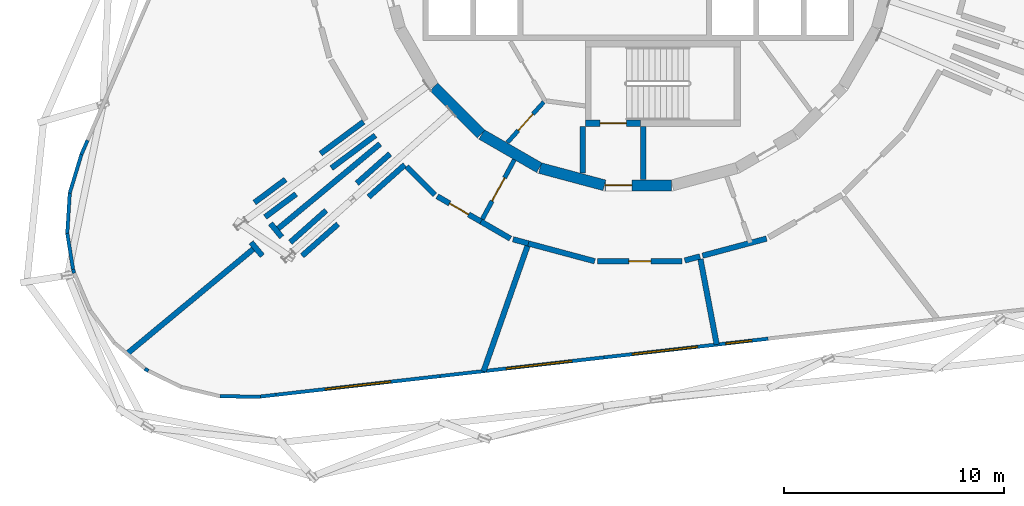
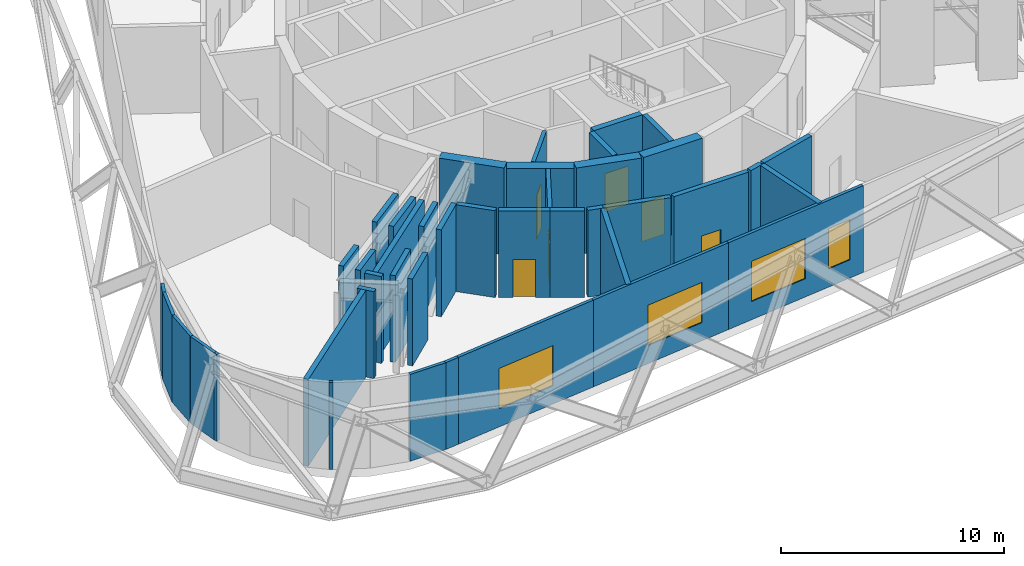
# One storey, part 5 of 11: 42 walls, 6 doors, 4 windows, 10 openings.
"""IFC4 building model written with IfcOpenShell, lengths in metres."""

import ifcopenshell
import ifcopenshell.guid

model = None  # the IFC model being written
_history = None  # IfcOwnerHistory: only IFC2X3 demands one
_inside = {}  # id of a spatial element -> (the spatial element, [elements in it])
_under = {}  # id of a project, library or spatial element -> (it, [spatial elements below it])
_declared = {}  # id of a project -> (the project, [libraries it declares])
_typed = {}  # id of a type object -> (the type object, [elements of that type])
_made_of = {}  # id of a material, layer set ... -> (it, [elements and type objects made of it])


def new_model(schema):
    """Start an empty IFC model of exactly this schema.

    Asked for "IFC4X3", IfcOpenShell would pick the latest addendum, in which some entities
    have other attributes; the version numbers below select the first issue.
    IFC2X3 requires an IfcOwnerHistory on every rooted entity: one is made here for all.
    """
    global model, _history
    if schema == "IFC4X3":
        model = ifcopenshell.file(schema_version=(4, 3, 0, 0))
    else:
        model = ifcopenshell.file(schema=schema)
    _inside.clear()
    _under.clear()
    _declared.clear()
    _typed.clear()
    _made_of.clear()
    _history = None
    if model.schema == "IFC2X3":
        org = make("IfcOrganization", Name="unknown")
        user = make(
            "IfcPersonAndOrganization",
            ThePerson=make("IfcPerson", FamilyName="unknown"),
            TheOrganization=org,
        )
        app = make(
            "IfcApplication",
            ApplicationDeveloper=org,
            Version="unknown",
            ApplicationFullName="unknown",
            ApplicationIdentifier="unknown",
        )
        _history = make(
            "IfcOwnerHistory",
            OwningUser=user,
            OwningApplication=app,
            ChangeAction="ADDED",
            CreationDate=0,
        )
    return model


def make(cls, **values):
    """One entity of the class cls with the attributes given. An attribute that is None is left unset."""
    return model.create_entity(
        cls, **{name: value for name, value in values.items() if value is not None}
    )


def rooted(cls, **values):
    """An entity with a GlobalId (a new one), such as an element, a storey or a relation."""
    return make(cls, GlobalId=ifcopenshell.guid.new(), OwnerHistory=_history, **values)


def si_unit(unit_type, name, prefix=None):
    """IfcSIUnit, for example si_unit("LENGTHUNIT", "METRE", prefix="MILLI")."""
    return make("IfcSIUnit", UnitType=unit_type, Prefix=prefix, Name=name)


def assignment(units):
    """IfcUnitAssignment: the units of a project."""
    return None if units is None else make("IfcUnitAssignment", Units=units)


def point(xyz):
    """IfcCartesianPoint."""
    return None if xyz is None else make("IfcCartesianPoint", Coordinates=xyz)


def direction(xyz):
    """IfcDirection."""
    return None if xyz is None else make("IfcDirection", DirectionRatios=xyz)


def frame(location, z_axis=None, x_axis=None):
    """IfcAxis2Placement3D, a coordinate frame: its origin and axes. An axis left out is left unset."""
    return make(
        "IfcAxis2Placement3D",
        Location=point(location),
        Axis=direction(z_axis),
        RefDirection=direction(x_axis),
    )


def frame_2d(location, x_axis=None):
    """IfcAxis2Placement2D, a coordinate frame in the plane: its origin and x axis."""
    return make(
        "IfcAxis2Placement2D", Location=point(location), RefDirection=direction(x_axis)
    )


def origin():
    """The frame at (0, 0, 0) with its axes left unset."""
    return frame((0.0, 0.0, 0.0))


def place(relative_to, where):
    """IfcLocalPlacement: puts the frame where relative to a parent placement (None: the world)."""
    return make(
        "IfcLocalPlacement", PlacementRelTo=relative_to, RelativePlacement=where
    )


def context(
    kind, dimensions, precision=None, world=None, true_north=None, identifier=None
):
    """IfcGeometricRepresentationContext, for example the 3D "Model" context."""
    return make(
        "IfcGeometricRepresentationContext",
        ContextIdentifier=identifier,
        ContextType=kind,
        CoordinateSpaceDimension=dimensions,
        Precision=precision,
        WorldCoordinateSystem=world,
        TrueNorth=true_north,
    )


def subcontext(parent, identifier, kind, view, scale=None):
    """IfcGeometricRepresentationSubContext, for example "Body" below "Model"."""
    return make(
        "IfcGeometricRepresentationSubContext",
        ContextIdentifier=identifier,
        ContextType=kind,
        ParentContext=parent,
        TargetScale=scale,
        TargetView=view,
    )


def project(units=None, contexts=None):
    """IfcProject with its units and contexts."""
    return rooted(
        "IfcProject",
        Name="project",
        RepresentationContexts=contexts,
        UnitsInContext=assignment(units),
    )


def spatial(cls, under=None, at=None, **own):
    """A site, building, storey or space (cls), placed at a placement, below another one or the project."""
    s = rooted(cls, ObjectPlacement=at, **own)
    if under is not None:
        _under.setdefault(under.id(), (under, []))[1].append(s)
    return s


def profile(cls, at=None, kind="AREA", **sizes):
    """A parametric profile (cls). Its sizes go by their IFC names, for example OverallWidth=200.0."""
    return make(cls, ProfileType=kind, Position=at, **sizes)


def rectangle(**sizes):
    """IfcRectangleProfileDef."""
    return profile("IfcRectangleProfileDef", **sizes)


def extrude(swept, where, along, depth):
    """IfcExtrudedAreaSolid: the profile swept, set in the frame where, extruded along a direction by depth."""
    return make(
        "IfcExtrudedAreaSolid",
        SweptArea=swept,
        Position=where,
        ExtrudedDirection=direction(along),
        Depth=depth,
    )


def shape(context_of_items, identifier, shape_type, items):
    """IfcShapeRepresentation: the items that make up one representation, for example the "Body"."""
    return make(
        "IfcShapeRepresentation",
        ContextOfItems=context_of_items,
        RepresentationIdentifier=identifier,
        RepresentationType=shape_type,
        Items=items,
    )


def material(Name=None, Category=None):
    """IfcMaterial."""
    return make("IfcMaterial", Name=Name, Category=Category)


def layer(
    of_material, thickness, ventilated=None, Name=None, Category=None, Priority=None
):
    """IfcMaterialLayer: one layer of a wall or slab, of a material (None: an air gap)."""
    return make(
        "IfcMaterialLayer",
        Material=of_material,
        LayerThickness=thickness,
        IsVentilated=ventilated,
        Name=Name,
        Category=Category,
        Priority=Priority,
    )


def layer_set(layers, Name=None):
    """IfcMaterialLayerSet."""
    return make("IfcMaterialLayerSet", MaterialLayers=layers, LayerSetName=Name)


def made_of(thing, what):
    """Note that an element or type object is made of a material, layer set ...; save() writes the relation."""
    if what is not None:
        _made_of.setdefault(what.id(), (what, []))[1].append(thing)
    return thing


def type_object(cls, material=None, **own):
    """A type object (cls), such as IfcWallType, which elements share."""
    return made_of(rooted(cls, **own), material)


def element(
    cls,
    number,
    at=None,
    inside=None,
    cuts=None,
    type_object=None,
    material=None,
    context=None,
    identifier="Body",
    shape_type=None,
    held_by="IfcProductDefinitionShape",
    body=None,
    shapes=None,
    **own,
):
    """One element of the class cls, such as IfcWall. Its Tag is "e" and its number.

    at: its placement. inside: the storey or other place that contains it. cuts: it is an
    opening in that element (IfcRelVoidsElement). A single representation is given by context,
    identifier, shape_type and body (its items); several are given by shapes. held_by: the class
    of the entity that holds the representations. save() writes the other relations.
    """
    e = rooted(cls, Tag="e%d" % number, ObjectPlacement=at, **own)
    if body is not None:
        shapes = [shape(context, identifier, shape_type, body)]
    if shapes is not None:
        e.Representation = make(held_by, Representations=shapes)
    if inside is not None:
        _inside.setdefault(inside.id(), (inside, []))[1].append(e)
    if cuts is not None:
        rooted(
            "IfcRelVoidsElement", RelatingBuildingElement=cuts, RelatedOpeningElement=e
        )
    if type_object is not None:
        _typed.setdefault(type_object.id(), (type_object, []))[1].append(e)
    return made_of(e, material)


def fill(opening, filler):
    """IfcRelFillsElement: the door or window that sits in an opening."""
    return rooted(
        "IfcRelFillsElement",
        RelatingOpeningElement=opening,
        RelatedBuildingElement=filler,
    )


def aggregate(whole, parts):
    """IfcRelAggregates: a whole, such as a stair, and the parts it consists of."""
    return rooted("IfcRelAggregates", RelatingObject=whole, RelatedObjects=parts)


def save(model, path):
    """Write the relations noted so far, then the file.

    IfcRelAggregates (storeys below a building ...), IfcRelContainedInSpatialStructure (elements
    in a storey), IfcRelDefinesByType, IfcRelAssociatesMaterial and IfcRelDeclares: one each for
    every whole, place, type object, material and project.
    """
    for whole, parts in _under.values():
        aggregate(whole, parts)
    for where, things in _inside.values():
        rooted(
            "IfcRelContainedInSpatialStructure",
            RelatedElements=things,
            RelatingStructure=where,
        )
    for kind, things in _typed.values():
        rooted("IfcRelDefinesByType", RelatedObjects=things, RelatingType=kind)
    for what, things in _made_of.values():
        rooted("IfcRelAssociatesMaterial", RelatedObjects=things, RelatingMaterial=what)
    for by, libraries in _declared.values():
        rooted("IfcRelDeclares", RelatingContext=by, RelatedDefinitions=libraries)
    model.write(path)


model = new_model("IFC4")

# Units and contexts
model_context = context("Model", 3, precision=1e-05, world=origin(), true_north=direction((0.0, 1.0)))
body_context = subcontext(model_context, "Body", "Model", "MODEL_VIEW")
ifc_project = project(units=[si_unit("LENGTHUNIT", "METRE"), si_unit("AREAUNIT", "SQUARE_METRE"), si_unit("VOLUMEUNIT", "CUBIC_METRE"), si_unit("PLANEANGLEUNIT", "RADIAN"), si_unit("MASSUNIT", "GRAM", prefix="KILO")], contexts=[model_context])

# Site, building, storey
site_placement = place(None, origin())
site = spatial("IfcSite", under=ifc_project, at=site_placement, CompositionType="ELEMENT")
building_placement = place(site_placement, origin())
building = spatial("IfcBuilding", under=site, at=building_placement, Name="Spindle Arch Residences", CompositionType="ELEMENT")
storey_placement = place(building_placement, frame((0.0, 0.0, 108.199951171875)))
storey = spatial("IfcBuildingStorey", under=building, at=storey_placement, Name="L26", CompositionType="ELEMENT", Elevation=108.199951171875)

# Walls
ifc_material_1 = material(Name="Concrete C50/60", Category="concrete")
ifc_layer_1 = layer(ifc_material_1, 0.5)
ifc_layer_set_1 = layer_set([ifc_layer_1], Name="Core outline wall 500")
wall_type_1 = type_object("IfcWallType", Name="Core outline wall 500", PredefinedType="SHEAR", material=ifc_layer_set_1)
wall_1_placement = place(storey_placement, frame((-9.30810546875, -7.163818359375, 0.0), z_axis=(0.0, 0.0, 1.0), x_axis=(0.707106781187, -0.707106781187, 0.0)))
element("IfcWall", 1, at=wall_1_placement, inside=storey, type_object=wall_type_1, Name="Core outline wall 21", PredefinedType="SHEAR", context=body_context, shape_type="SweptSolid", body=[
    extrude(rectangle(XDim=3.032470703125, YDim=0.5, at=frame_2d((1.51611328125, 0.0))), origin(), (0.0, 0.0, 1.0), 4.75),
])
for number, where, z_axis, x_axis, name in (
    (2, (-7.13671875, -9.32861328125, 0.0), (0.0, 0.0, 1.0), (0.865975092491, -0.500087131594, 0.0), "Core outline wall 22"),
    (3, (-4.479248046875, -10.858154296875, 0.0), (0.0, 0.0, 1.0), (0.965948410781, -0.258734743916, 0.0), "Core outline wall 23"),
):
    element("IfcWall", number, at=place(storey_placement, frame(where, z_axis=z_axis, x_axis=x_axis)), inside=storey, type_object=wall_type_1, Name=name, PredefinedType="SHEAR", context=body_context, shape_type="SweptSolid", body=[
        extrude(rectangle(XDim=3.03271484375, YDim=0.5, at=frame_2d((1.516357421875, 0.0))), origin(), (0.0, 0.0, 1.0), 4.75),
    ])

# Wall, opening, door
wall_2_placement = place(storey_placement, frame((-1.516357421875, -11.647216796875, 0.0), z_axis=(0.0, 0.0, 1.0), x_axis=(1.0, 0.0, 0.0)))
wall_2 = element("IfcWall", 4, at=wall_2_placement, inside=storey, type_object=wall_type_1, Name="Core outline wall 24", PredefinedType="SHEAR", context=body_context, shape_type="SweptSolid", body=[
    extrude(rectangle(XDim=3.03271484375, YDim=0.5, at=frame_2d((1.516357421875, 0.0))), origin(), (0.0, 0.0, 1.0), 4.75),
])
opening_1_placement = place(wall_2_placement, frame((0.016357421875, 0.0, 0.0)))
opening_1 = element("IfcOpeningElement", 5, at=opening_1_placement, cuts=wall_2, Name="Opening L26-AD03", PredefinedType="OPENING", context=body_context, shape_type="SweptSolid", body=[
    extrude(rectangle(XDim=1.199951171875, YDim=2.10009765625, at=frame_2d((0.60009765625, 1.050048828125))), frame((0.0, 0.260009765625, 0.0), z_axis=(0.0, -1.0, 0.0), x_axis=(1.0, 0.0, 0.0)), (0.0, 0.0, 1.0), 0.52001953125),
])
ifc_material_2 = material(Name="Steel, fire-resisting door", Category="steel")
door_type_1 = type_object("IfcDoorType", Name="Stair airlock door 1200x2100", OperationType="SINGLE_SWING_LEFT", PredefinedType="DOOR", material=ifc_material_2)
door_1_placement = place(opening_1_placement, origin())
door_1 = element("IfcDoor", 6, at=door_1_placement, inside=storey, type_object=door_type_1, Name="Stair airlock door L26-AD03", OperationType="SINGLE_SWING_RIGHT", OverallHeight=2.10009765625, OverallWidth=1.199951171875, PredefinedType="DOOR", context=body_context, shape_type="SweptSolid", body=[
    extrude(rectangle(XDim=1.199951171875, YDim=2.10009765625, at=frame_2d((0.60009765625, 1.050048828125))), frame((0.0, 0.02490234375, 0.0), z_axis=(0.0, -1.0, 0.0), x_axis=(1.0, 0.0, 0.0)), (0.0, 0.0, 1.0), 0.050048828125),
])
fill(opening_1, door_1)

# Walls
ifc_material_3 = material(Name="Non-combustible mineral wool insulated aluminium faced external wall (K0)", Category="aluminium")
ifc_layer_2 = layer(ifc_material_3, 0.159912109375)
ifc_layer_set_2 = layer_set([ifc_layer_2], Name="Insulated external wall panel 160")
wall_type_2 = type_object("IfcWallType", Name="Insulated external wall panel 160", PredefinedType="STANDARD", material=ifc_layer_set_2)
wall_3_placement = place(storey_placement, frame((-25.082275390625, -9.591064453125, 0.0), z_axis=(0.0, 0.0, 1.0), x_axis=(-0.398561214502, -0.917141732937, 0.0)))
element("IfcWall", 7, at=wall_3_placement, inside=storey, type_object=wall_type_2, Name="Plant wall L26 bay 19.1", PredefinedType="STANDARD", context=body_context, shape_type="SweptSolid", body=[
    extrude(rectangle(XDim=0.703857421875, YDim=0.159912109375, at=frame_2d((0.35205078125, 0.0))), origin(), (0.0, 0.0, 1.0), 4.75),
])
wall_4_placement = place(storey_placement, frame((-25.361328125, -10.232177734375, 0.0), z_axis=(0.0, 0.0, 1.0), x_axis=(-0.289640305578, -0.957135566879, 0.0)))
element("IfcWall", 8, at=wall_4_placement, inside=storey, type_object=wall_type_2, Name="Plant wall L26 bay 19.2", PredefinedType="STANDARD", context=body_context, shape_type="SweptSolid", body=[
    extrude(rectangle(XDim=1.845947265625, YDim=0.159912109375, at=frame_2d((0.9228515625, 0.0))), origin(), (0.0, 0.0, 1.0), 4.75),
])
wall_5_placement = place(storey_placement, frame((-25.894287109375, -11.98974609375, 0.0), z_axis=(0.0, 0.0, 1.0), x_axis=(-0.061029488501, -0.998135963451, 0.0)))
element("IfcWall", 9, at=wall_5_placement, inside=storey, type_object=wall_type_2, Name="Plant wall L26 bay 19.3", PredefinedType="STANDARD", context=body_context, shape_type="SweptSolid", body=[
    extrude(rectangle(XDim=1.84814453125, YDim=0.159912109375, at=frame_2d((0.924072265625, 0.0))), origin(), (0.0, 0.0, 1.0), 4.75),
])
wall_6_placement = place(storey_placement, frame((-26.007568359375, -13.82568359375, 0.0), z_axis=(0.0, 0.0, 1.0), x_axis=(0.159320235268, -0.98722695599, 0.0)))
element("IfcWall", 10, at=wall_6_placement, inside=storey, type_object=wall_type_2, Name="Plant wall L26 bay 19.4", PredefinedType="STANDARD", context=body_context, shape_type="SweptSolid", body=[
    extrude(rectangle(XDim=1.6611328125, YDim=0.159912109375, at=frame_2d((0.83056640625, 0.0))), origin(), (0.0, 0.0, 1.0), 4.75),
])
wall_7_placement = place(storey_placement, frame((-25.742919921875, -15.465576171875, 0.0), z_axis=(0.0, 0.0, 1.0), x_axis=(0.274547625783, -0.961573502743, 0.0)))
element("IfcWall", 11, at=wall_7_placement, inside=storey, type_object=wall_type_2, Name="Plant wall L26 bay 20.1", PredefinedType="STANDARD", context=body_context, shape_type="SweptSolid", body=[
    extrude(rectangle(XDim=0.185791015625, YDim=0.159912109375, at=frame_2d((0.0927734375, 0.0))), origin(), (0.0, 0.0, 1.0), 4.75),
])
wall_8_placement = place(storey_placement, frame((-22.472412109375, -19.995361328125, 0.0), z_axis=(0.0, 0.0, 1.0), x_axis=(0.840238765122, -0.542216578118, 0.0)))
element("IfcWall", 12, at=wall_8_placement, inside=storey, type_object=wall_type_2, Name="Plant wall L26 bay 20.5", PredefinedType="STANDARD", context=body_context, shape_type="SweptSolid", body=[
    extrude(rectangle(XDim=0.18603515625, YDim=0.159912109375, at=frame_2d((0.093017578125, 0.0))), origin(), (0.0, 0.0, 1.0), 4.75),
])
wall_9_placement = place(storey_placement, frame((-19.0458984375, -21.256103515625, 0.0), z_axis=(0.0, 0.0, 1.0), x_axis=(0.999995373376, -0.003041911597, 0.0)))
element("IfcWall", 13, at=wall_9_placement, inside=storey, type_object=wall_type_2, Name="Plant wall L26 bay 21.3", PredefinedType="STANDARD", context=body_context, shape_type="SweptSolid", body=[
    extrude(rectangle(XDim=1.845947265625, YDim=0.159912109375, at=frame_2d((0.9228515625, 0.0))), origin(), (0.0, 0.0, 1.0), 4.75),
])
wall_10_placement = place(storey_placement, frame((-17.20458984375, -21.26171875, 0.0), z_axis=(0.0, 0.0, 1.0), x_axis=(0.993584007949, 0.113096503698, 0.0)))
element("IfcWall", 14, at=wall_10_placement, inside=storey, type_object=wall_type_2, Name="Plant wall L26 bay 21.4", PredefinedType="STANDARD", context=body_context, shape_type="SweptSolid", body=[
    extrude(rectangle(XDim=0.70361328125, YDim=0.159912109375, at=frame_2d((0.351806640625, 0.0))), origin(), (0.0, 0.0, 1.0), 4.75),
])

# Wall, opening, window
wall_11_placement = place(storey_placement, frame((-16.50537109375, -21.18212890625, 0.0), z_axis=(0.0, 0.0, 1.0), x_axis=(0.993573424553, 0.113189443072, 0.0)))
wall_11 = element("IfcWall", 15, at=wall_11_placement, inside=storey, type_object=wall_type_2, Name="Plant wall L26 bay 22", PredefinedType="STANDARD", context=body_context, shape_type="SweptSolid", body=[
    extrude(rectangle(XDim=7.51904296875, YDim=0.159912109375, at=frame_2d((3.759521484375, 0.0))), origin(), (0.0, 0.0, 1.0), 4.75),
])
opening_2_placement = place(wall_11_placement, frame((2.259521484375, 0.0, 1.0)))
opening_2 = element("IfcOpeningElement", 16, at=opening_2_placement, cuts=wall_11, Name="Opening LW1", PredefinedType="OPENING", context=body_context, shape_type="SweptSolid", body=[
    extrude(rectangle(XDim=3.0, YDim=2.199951171875, at=frame_2d((1.5, 1.10009765625))), frame((0.0, 0.08984375, 0.0), z_axis=(0.0, -1.0, 0.0), x_axis=(1.0, 0.0, 0.0)), (0.0, 0.0, 1.0), 0.179931640625),
])
ifc_material_4 = material(Name="Bronze anodised aluminium fixed louvre", Category="aluminium")
window_type_1 = type_object("IfcWindowType", Name="Plant louvre opening 3000x2200", PartitioningType="SINGLE_PANEL", PredefinedType="WINDOW", material=ifc_material_4)
window_1_placement = place(opening_2_placement, origin())
window_1 = element("IfcWindow", 17, at=window_1_placement, inside=storey, type_object=window_type_1, Name="Louvre opening L26 bay 22.1", OverallHeight=2.199951171875, OverallWidth=3.0, PartitioningType="SINGLE_PANEL", PredefinedType="WINDOW", context=body_context, shape_type="SweptSolid", body=[
    extrude(rectangle(XDim=3.0, YDim=2.199951171875, at=frame_2d((1.5, 1.10009765625))), frame((0.0, 0.030029296875, 0.0), z_axis=(0.0, -1.0, 0.0), x_axis=(1.0, 0.0, 0.0)), (0.0, 0.0, 1.0), 0.06005859375),
])
fill(opening_2, window_1)

wall_12_placement = place(storey_placement, frame((-9.03466796875, -20.3310546875, 0.0), z_axis=(0.0, 0.0, 1.0), x_axis=(0.993569356187, 0.113225149352, 0.0)))
wall_12 = element("IfcWall", 18, at=wall_12_placement, inside=storey, type_object=wall_type_2, Name="Plant wall L26 bay 23", PredefinedType="STANDARD", context=body_context, shape_type="SweptSolid", body=[
    extrude(rectangle(XDim=7.518798828125, YDim=0.159912109375, at=frame_2d((3.75927734375, 0.0))), origin(), (0.0, 0.0, 1.0), 4.75),
])
opening_3_placement = place(wall_12_placement, frame((3.04052734375, 0.0, 1.0)))
opening_3 = element("IfcOpeningElement", 19, at=opening_3_placement, cuts=wall_12, Name="Opening LW1", PredefinedType="OPENING", context=body_context, shape_type="SweptSolid", body=[
    extrude(rectangle(XDim=3.0, YDim=2.199951171875, at=frame_2d((1.5, 1.10009765625))), frame((0.0, 0.08984375, 0.0), z_axis=(0.0, -1.0, 0.0), x_axis=(1.0, 0.0, 0.0)), (0.0, 0.0, 1.0), 0.179931640625),
])
window_2_placement = place(opening_3_placement, origin())
window_2 = element("IfcWindow", 20, at=window_2_placement, inside=storey, type_object=window_type_1, Name="Louvre opening L26 bay 23.1", OverallHeight=2.199951171875, OverallWidth=3.0, PartitioningType="SINGLE_PANEL", PredefinedType="WINDOW", context=body_context, shape_type="SweptSolid", body=[
    extrude(rectangle(XDim=3.0, YDim=2.199951171875, at=frame_2d((1.5, 1.10009765625))), frame((0.0, 0.030029296875, 0.0), z_axis=(0.0, -1.0, 0.0), x_axis=(1.0, 0.0, 0.0)), (0.0, 0.0, 1.0), 0.06005859375),
])
fill(opening_3, window_2)

# Wall, openings, windows
wall_13_placement = place(storey_placement, frame((-1.564208984375, -19.479736328125, 0.0), z_axis=(0.0, 0.0, 1.0), x_axis=(0.993573008535, 0.113193094799, 0.0)))
wall_13 = element("IfcWall", 21, at=wall_13_placement, inside=storey, type_object=wall_type_2, Name="Plant wall L26 bay 24", PredefinedType="STANDARD", context=body_context, shape_type="SweptSolid", body=[
    extrude(rectangle(XDim=7.518798828125, YDim=0.159912109375, at=frame_2d((3.75927734375, 0.0))), origin(), (0.0, 0.0, 1.0), 4.75),
])
opening_4_placement = place(wall_13_placement, frame((1.282958984375, 0.0, 1.0)))
opening_4 = element("IfcOpeningElement", 22, at=opening_4_placement, cuts=wall_13, Name="Opening LW1", PredefinedType="OPENING", context=body_context, shape_type="SweptSolid", body=[
    extrude(rectangle(XDim=3.0, YDim=2.199951171875, at=frame_2d((1.5, 1.10009765625))), frame((0.0, 0.08984375, 0.0), z_axis=(0.0, -1.0, 0.0), x_axis=(1.0, 0.0, 0.0)), (0.0, 0.0, 1.0), 0.179931640625),
])
opening_5_placement = place(wall_13_placement, frame((5.5673828125, 0.0, 1.0)))
opening_5 = element("IfcOpeningElement", 23, at=opening_5_placement, cuts=wall_13, Name="Opening LW4", PredefinedType="OPENING", context=body_context, shape_type="SweptSolid", body=[
    extrude(rectangle(XDim=1.199951171875, YDim=2.199951171875, at=frame_2d((0.60009765625, 1.10009765625))), frame((0.0, 0.08984375, 0.0), z_axis=(0.0, -1.0, 0.0), x_axis=(1.0, 0.0, 0.0)), (0.0, 0.0, 1.0), 0.179931640625),
])
ifc_material_5 = material(Name="Bronze anodised aluminium fixed louvre", Category="aluminium")
window_type_2 = type_object("IfcWindowType", Name="Plant louvre opening 1200x2200", PartitioningType="SINGLE_PANEL", PredefinedType="WINDOW", material=ifc_material_5)
window_3_placement = place(opening_5_placement, origin())
window_3 = element("IfcWindow", 24, at=window_3_placement, inside=storey, type_object=window_type_2, Name="Louvre opening L26 bay 24.2", OverallHeight=2.199951171875, OverallWidth=1.199951171875, PartitioningType="SINGLE_PANEL", PredefinedType="WINDOW", context=body_context, shape_type="SweptSolid", body=[
    extrude(rectangle(XDim=1.199951171875, YDim=2.199951171875, at=frame_2d((0.60009765625, 1.10009765625))), frame((0.0, 0.030029296875, 0.0), z_axis=(0.0, -1.0, 0.0), x_axis=(1.0, 0.0, 0.0)), (0.0, 0.0, 1.0), 0.06005859375),
])
fill(opening_5, window_3)
window_4_placement = place(opening_4_placement, origin())
window_4 = element("IfcWindow", 25, at=window_4_placement, inside=storey, type_object=window_type_1, Name="Louvre opening L26 bay 24.1", OverallHeight=2.199951171875, OverallWidth=3.0, PartitioningType="SINGLE_PANEL", PredefinedType="WINDOW", context=body_context, shape_type="SweptSolid", body=[
    extrude(rectangle(XDim=3.0, YDim=2.199951171875, at=frame_2d((1.5, 1.10009765625))), frame((0.0, 0.030029296875, 0.0), z_axis=(0.0, -1.0, 0.0), x_axis=(1.0, 0.0, 0.0)), (0.0, 0.0, 1.0), 0.06005859375),
])
fill(opening_4, window_4)

# Walls
ifc_material_6 = material(Name="Concrete C25/30 wall", Category="concrete")
ifc_layer_3 = layer(ifc_material_6, 0.25)
ifc_layer_set_3 = layer_set([ifc_layer_3], Name="Partition EI 120 250 plant")
wall_type_3 = type_object("IfcWallType", Name="Partition EI 120 250 plant", PredefinedType="PARTITIONING", material=ifc_layer_set_3)
wall_14_placement = place(storey_placement, frame((-17.54248046875, -14.549560546875, 0.0), z_axis=(0.0, 0.0, 1.0), x_axis=(-0.769578133533, -0.638552657491, 0.0)))
element("IfcWall", 26, at=wall_14_placement, inside=storey, type_object=wall_type_3, Name="L26-W001", PredefinedType="PARTITIONING", context=body_context, shape_type="SweptSolid", body=[
    extrude(rectangle(XDim=7.453125, YDim=0.25, at=frame_2d((3.7265625, 0.0))), origin(), (0.0, 0.0, 1.0), 4.75),
])
wall_15_placement = place(storey_placement, frame((-16.99658203125, -13.0869140625, 0.0), z_axis=(0.0, 0.0, 1.0), x_axis=(0.802183588965, 0.597077456948, 0.0)))
element("IfcWall", 27, at=wall_15_placement, inside=storey, type_object=wall_type_3, Name="L26-W002", PredefinedType="PARTITIONING", context=body_context, shape_type="SweptSolid", body=[
    extrude(rectangle(XDim=1.75341796875, YDim=0.25, at=frame_2d((0.876708984375, 0.0))), origin(), (0.0, 0.0, 1.0), 4.75),
])
wall_16_placement = place(storey_placement, frame((-16.070068359375, -11.3798828125, 0.0), z_axis=(0.0, 0.0, 1.0), x_axis=(-0.802508356636, -0.596640878191, 0.0)))
element("IfcWall", 28, at=wall_16_placement, inside=storey, type_object=wall_type_3, Name="L26-W003", PredefinedType="PARTITIONING", context=body_context, shape_type="SweptSolid", body=[
    extrude(rectangle(XDim=1.7587890625, YDim=0.25, at=frame_2d((0.87939453125, 0.0))), origin(), (0.0, 0.0, 1.0), 4.75),
])
wall_17_placement = place(storey_placement, frame((-15.31005859375, -14.85009765625, 0.0), z_axis=(0.0, 0.0, 1.0), x_axis=(0.749418447052, 0.662096663047, 0.0)))
element("IfcWall", 29, at=wall_17_placement, inside=storey, type_object=wall_type_3, Name="L26-W004", PredefinedType="PARTITIONING", context=body_context, shape_type="SweptSolid", body=[
    extrude(rectangle(XDim=2.17529296875, YDim=0.25, at=frame_2d((1.087646484375, 0.0))), origin(), (0.0, 0.0, 1.0), 4.75),
])
wall_18_placement = place(storey_placement, frame((-14.219970703125, -12.7900390625, 0.0), z_axis=(0.0, 0.0, 1.0), x_axis=(-0.747193185721, -0.664606908791, 0.0)))
element("IfcWall", 30, at=wall_18_placement, inside=storey, type_object=wall_type_3, Name="L26-W008", PredefinedType="PARTITIONING", context=body_context, shape_type="SweptSolid", body=[
    extrude(rectangle(XDim=2.181640625, YDim=0.25, at=frame_2d((1.0908203125, 0.0))), origin(), (0.0, 0.0, 1.0), 4.75),
])
wall_19_placement = place(storey_placement, frame((-13.97998046875, -10.860107421875, 0.0), z_axis=(0.0, 0.0, 1.0), x_axis=(0.80192236943, 0.597428249589, 0.0)))
element("IfcWall", 31, at=wall_19_placement, inside=storey, type_object=wall_type_3, Name="L26-W011", PredefinedType="PARTITIONING", context=body_context, shape_type="SweptSolid", body=[
    extrude(rectangle(XDim=2.493896484375, YDim=0.25, at=frame_2d((1.2470703125, 0.0))), origin(), (0.0, 0.0, 1.0), 4.75),
])
wall_20_placement = place(storey_placement, frame((-12.5205078125, -8.75439453125, 0.0), z_axis=(0.0, 0.0, 1.0), x_axis=(-0.803259492536, -0.595629236732, 0.0)))
element("IfcWall", 32, at=wall_20_placement, inside=storey, type_object=wall_type_3, Name="L26-W014", PredefinedType="PARTITIONING", context=body_context, shape_type="SweptSolid", body=[
    extrude(rectangle(XDim=2.427001953125, YDim=0.25, at=frame_2d((1.21337890625, 0.0))), origin(), (0.0, 0.0, 1.0), 4.75),
])
wall_21_placement = place(storey_placement, frame((-12.280029296875, -12.169921875, 0.0), z_axis=(0.0, 0.0, 1.0), x_axis=(0.746942923143, 0.664888163202, 0.0)))
element("IfcWall", 33, at=wall_21_placement, inside=storey, type_object=wall_type_3, Name="L26-W015", PredefinedType="PARTITIONING", context=body_context, shape_type="SweptSolid", body=[
    extrude(rectangle(XDim=2.19580078125, YDim=0.25, at=frame_2d((1.097900390625, 0.0))), origin(), (0.0, 0.0, 1.0), 4.75),
])
wall_22_placement = place(storey_placement, frame((-11.76611328125, -9.759765625, 0.0), z_axis=(0.0, 0.0, 1.0), x_axis=(-0.769226522348, -0.63897617899, 0.0)))
element("IfcWall", 34, at=wall_22_placement, inside=storey, type_object=wall_type_3, Name="L26-W017", PredefinedType="PARTITIONING", context=body_context, shape_type="SweptSolid", body=[
    extrude(rectangle(XDim=6.026123046875, YDim=0.25, at=frame_2d((3.01318359375, 0.0))), origin(), (0.0, 0.0, 1.0), 4.75),
])
wall_23_placement = place(storey_placement, frame((-11.3134765625, -10.212890625, 0.0), z_axis=(0.0, 0.0, 1.0), x_axis=(-0.747910613197, -0.663799453651, 0.0)))
element("IfcWall", 35, at=wall_23_placement, inside=storey, type_object=wall_type_3, Name="L26-W019", PredefinedType="PARTITIONING", context=body_context, shape_type="SweptSolid", body=[
    extrude(rectangle(XDim=2.014404296875, YDim=0.25, at=frame_2d((1.00732421875, 0.0))), origin(), (0.0, 0.0, 1.0), 4.75),
])
wall_24_placement = place(storey_placement, frame((-10.551513671875, -10.79833984375, 0.0), z_axis=(0.0, 0.0, 1.0), x_axis=(0.707039428062, -0.707174127896, 0.0)))
element("IfcWall", 36, at=wall_24_placement, inside=storey, type_object=wall_type_3, Name="L26-W020", PredefinedType="PARTITIONING", context=body_context, shape_type="SweptSolid", body=[
    extrude(rectangle(XDim=1.8125, YDim=0.25, at=frame_2d((0.90625, 0.0))), origin(), (0.0, 0.0, 1.0), 4.75),
])

# Wall, opening, door
wall_25_placement = place(storey_placement, frame((-9.161865234375, -12.142578125, 0.0), z_axis=(0.0, 0.0, 1.0), x_axis=(0.865576208327, -0.500777223502, 0.0)))
wall_25 = element("IfcWall", 37, at=wall_25_placement, inside=storey, type_object=wall_type_3, Name="L26-W021", PredefinedType="PARTITIONING", context=body_context, shape_type="SweptSolid", body=[
    extrude(rectangle(XDim=2.303466796875, YDim=0.25, at=frame_2d((1.15185546875, 0.0))), origin(), (0.0, 0.0, 1.0), 4.75),
])
opening_6_placement = place(wall_25_placement, frame((0.65185546875, 0.0, 0.0)))
opening_6 = element("IfcOpeningElement", 38, at=opening_6_placement, cuts=wall_25, Name="Opening L26-D02", PredefinedType="OPENING", context=body_context, shape_type="SweptSolid", body=[
    extrude(rectangle(XDim=1.0, YDim=2.10009765625, at=frame_2d((0.5, 1.050048828125))), frame((0.0, 0.135009765625, 0.0), z_axis=(0.0, -1.0, 0.0), x_axis=(1.0, 0.0, 0.0)), (0.0, 0.0, 1.0), 0.27001953125),
])
ifc_material_7 = material(Name="Steel door leaf, painted", Category="steel")
door_type_2 = type_object("IfcDoorType", Name="Door 1000x2100 EI 60", OperationType="SINGLE_SWING_LEFT", PredefinedType="DOOR", material=ifc_material_7)
door_2_placement = place(opening_6_placement, origin())
door_2 = element("IfcDoor", 39, at=door_2_placement, inside=storey, type_object=door_type_2, Name="L26-D02", OperationType="SINGLE_SWING_LEFT", OverallHeight=2.10009765625, OverallWidth=1.0, PredefinedType="DOOR", context=body_context, shape_type="SweptSolid", body=[
    extrude(rectangle(XDim=1.0, YDim=2.10009765625, at=frame_2d((0.5, 1.050048828125))), frame((0.0, 0.02490234375, 0.0), z_axis=(0.0, -1.0, 0.0), x_axis=(1.0, 0.0, 0.0)), (0.0, 0.0, 1.0), 0.050048828125),
])
fill(opening_6, door_2)

# Walls
wall_26_placement = place(storey_placement, frame((-7.16796875, -13.296142578125, 0.0), z_axis=(0.0, 0.0, 1.0), x_axis=(0.865606471313, -0.500724911325, 0.0)))
element("IfcWall", 40, at=wall_26_placement, inside=storey, type_object=wall_type_3, Name="L26-W026", PredefinedType="PARTITIONING", context=body_context, shape_type="SweptSolid", body=[
    extrude(rectangle(XDim=1.545654296875, YDim=0.25, at=frame_2d((0.77294921875, 0.0))), origin(), (0.0, 0.0, 1.0), 4.75),
])
wall_27_placement = place(storey_placement, frame((-5.709228515625, -14.102294921875, 0.0), z_axis=(0.0, 0.0, 1.0), x_axis=(0.965791356005, -0.25932037457, 0.0)))
element("IfcWall", 41, at=wall_27_placement, inside=storey, type_object=wall_type_3, Name="L26-W029", PredefinedType="PARTITIONING", context=body_context, shape_type="SweptSolid", body=[
    extrude(rectangle(XDim=0.723876953125, YDim=0.25, at=frame_2d((0.36181640625, 0.0))), origin(), (0.0, 0.0, 1.0), 4.75),
])
wall_28_placement = place(storey_placement, frame((2.920654296875, -14.84765625, 0.0), z_axis=(0.0, 0.0, 1.0), x_axis=(0.966090816863, 0.258202504969, 0.0)))
element("IfcWall", 42, at=wall_28_placement, inside=storey, type_object=wall_type_3, Name="L26-W047", PredefinedType="PARTITIONING", context=body_context, shape_type="SweptSolid", body=[
    extrude(rectangle(XDim=3.011474609375, YDim=0.25, at=frame_2d((1.505859375, 0.0))), origin(), (0.0, 0.0, 1.0), 4.75),
])
wall_29_placement = place(storey_placement, frame((-17.126953125, -14.8544921875, 0.0), z_axis=(0.0, 0.0, 1.0), x_axis=(-0.638591701228, 0.769545735562, 0.0)))
element("IfcWall", 43, at=wall_29_placement, inside=storey, type_object=wall_type_3, Name="L26-W078", PredefinedType="PARTITIONING", context=body_context, shape_type="SweptSolid", body=[
    extrude(rectangle(XDim=0.7998046875, YDim=0.25, at=frame_2d((0.39990234375, 0.0))), origin(), (0.0, 0.0, 1.0), 4.75),
])
wall_30_placement = place(storey_placement, frame((-16.753173828125, -13.382568359375, 0.0), z_axis=(0.0, 0.0, 1.0), x_axis=(0.638772420088, -0.769395733895, 0.0)))
element("IfcWall", 44, at=wall_30_placement, inside=storey, type_object=wall_type_3, Name="L26-W079", PredefinedType="PARTITIONING", context=body_context, shape_type="SweptSolid", body=[
    extrude(rectangle(XDim=0.800048828125, YDim=0.25, at=frame_2d((0.39990234375, 0.0))), origin(), (0.0, 0.0, 1.0), 4.75),
])

# Wall, opening, door
ifc_material_8 = material(Name="Gypsum board partition on steel studs", Category="steel")
ifc_layer_4 = layer(ifc_material_8, 0.199951171875)
ifc_layer_set_4 = layer_set([ifc_layer_4], Name="Partition EI 60 200 amenity")
wall_type_4 = type_object("IfcWallType", Name="Partition EI 60 200 amenity", PredefinedType="PARTITIONING", material=ifc_layer_set_4)
wall_31_placement = place(storey_placement, frame((-7.108642578125, -13.18603515625, 0.0), z_axis=(0.0, 0.0, 1.0), x_axis=(0.474511788195, 0.880249148176, 0.0)))
wall_31 = element("IfcWall", 45, at=wall_31_placement, inside=storey, type_object=wall_type_4, Name="L26-W027", PredefinedType="PARTITIONING", context=body_context, shape_type="SweptSolid", body=[
    extrude(rectangle(XDim=3.07421875, YDim=0.199951171875, at=frame_2d((1.537109375, 0.0))), origin(), (0.0, 0.0, 1.0), 4.75),
])
opening_7_placement = place(wall_31_placement, frame((0.93701171875, 0.0, 0.0)))
opening_7 = element("IfcOpeningElement", 46, at=opening_7_placement, cuts=wall_31, Name="Opening L26-D14", PredefinedType="OPENING", context=body_context, shape_type="SweptSolid", body=[
    extrude(rectangle(XDim=1.199951171875, YDim=2.10009765625, at=frame_2d((0.60009765625, 1.050048828125))), frame((0.0, 0.10986328125, 0.0), z_axis=(0.0, -1.0, 0.0), x_axis=(1.0, 0.0, 0.0)), (0.0, 0.0, 1.0), 0.219970703125),
])
ifc_material_9 = material(Name="Steel door leaf, painted", Category="steel")
door_type_3 = type_object("IfcDoorType", Name="Door 1200x2100 EI 60", OperationType="SINGLE_SWING_LEFT", PredefinedType="DOOR", material=ifc_material_9)
door_3_placement = place(opening_7_placement, origin())
door_3 = element("IfcDoor", 47, at=door_3_placement, inside=storey, type_object=door_type_3, Name="L26-D14", OperationType="SINGLE_SWING_LEFT", OverallHeight=2.10009765625, OverallWidth=1.199951171875, PredefinedType="DOOR", context=body_context, shape_type="SweptSolid", body=[
    extrude(rectangle(XDim=1.199951171875, YDim=2.10009765625, at=frame_2d((0.60009765625, 1.050048828125))), frame((0.0, 0.02490234375, 0.0), z_axis=(0.0, -1.0, 0.0), x_axis=(1.0, 0.0, 0.0)), (0.0, 0.0, 1.0), 0.050048828125),
])
fill(opening_7, door_3)

# Walls
ifc_material_10 = material(Name="Concrete C25/30 wall", Category="concrete")
ifc_layer_5 = layer(ifc_material_10, 0.25)
ifc_layer_set_5 = layer_set([ifc_layer_5], Name="Partition REI 120 250 refuge")
wall_type_5 = type_object("IfcWallType", Name="Partition REI 120 250 refuge", PredefinedType="PARTITIONING", material=ifc_layer_set_5)
wall_32_placement = place(storey_placement, frame((-5.05126953125, -14.407958984375, 0.0), z_axis=(0.0, 0.0, 1.0), x_axis=(-0.331073209048, -0.943605071124, 0.0)))
element("IfcWall", 48, at=wall_32_placement, inside=storey, type_object=wall_type_5, Name="L26-W031", PredefinedType="PARTITIONING", context=body_context, shape_type="SweptSolid", body=[
    extrude(rectangle(XDim=6.047607421875, YDim=0.25, at=frame_2d((3.02392578125, 0.0))), origin(), (0.0, 0.0, 1.0), 4.75),
])
wall_33_placement = place(storey_placement, frame((-5.010009765625, -14.2900390625, 0.0), z_axis=(0.0, 0.0, 1.0), x_axis=(0.965858087727, -0.259071716659, 0.0)))
element("IfcWall", 49, at=wall_33_placement, inside=storey, type_object=wall_type_5, Name="L26-W032", PredefinedType="PARTITIONING", context=body_context, shape_type="SweptSolid", body=[
    extrude(rectangle(XDim=3.126708984375, YDim=0.25, at=frame_2d((1.5634765625, 0.0))), origin(), (0.0, 0.0, 1.0), 4.75),
])

# Wall, opening, door
wall_34_placement = place(storey_placement, frame((-1.864990234375, -15.10009765625, 0.0), z_axis=(0.0, 0.0, 1.0), x_axis=(1.0, 0.0, 0.0)))
wall_34 = element("IfcWall", 50, at=wall_34_placement, inside=storey, type_object=wall_type_5, Name="L26-W041", PredefinedType="PARTITIONING", context=body_context, shape_type="SweptSolid", body=[
    extrude(rectangle(XDim=3.85498046875, YDim=0.25, at=frame_2d((1.927490234375, 0.0))), origin(), (0.0, 0.0, 1.0), 4.75),
])
opening_8_placement = place(wall_34_placement, frame((1.427490234375, 0.0, 0.0)))
opening_8 = element("IfcOpeningElement", 51, at=opening_8_placement, cuts=wall_34, Name="Opening L26-D01", PredefinedType="OPENING", context=body_context, shape_type="SweptSolid", body=[
    extrude(rectangle(XDim=1.0, YDim=2.10009765625, at=frame_2d((0.5, 1.050048828125))), frame((0.0, 0.135009765625, 0.0), z_axis=(0.0, -1.0, 0.0), x_axis=(1.0, 0.0, 0.0)), (0.0, 0.0, 1.0), 0.27001953125),
])
door_4_placement = place(opening_8_placement, origin())
door_4 = element("IfcDoor", 52, at=door_4_placement, inside=storey, type_object=door_type_2, Name="L26-D01", OperationType="SINGLE_SWING_LEFT", OverallHeight=2.10009765625, OverallWidth=1.0, PredefinedType="DOOR", context=body_context, shape_type="SweptSolid", body=[
    extrude(rectangle(XDim=1.0, YDim=2.10009765625, at=frame_2d((0.5, 1.050048828125))), frame((0.0, 0.02490234375, 0.0), z_axis=(0.0, -1.0, 0.0), x_axis=(1.0, 0.0, 0.0)), (0.0, 0.0, 1.0), 0.050048828125),
])
fill(opening_8, door_4)

# Walls
wall_35_placement = place(storey_placement, frame((2.110595703125, -15.067138671875, 0.0), z_axis=(0.0, 0.0, 1.0), x_axis=(0.965039301335, 0.262105221007, 0.0)))
element("IfcWall", 53, at=wall_35_placement, inside=storey, type_object=wall_type_5, Name="L26-W044", PredefinedType="PARTITIONING", context=body_context, shape_type="SweptSolid", body=[
    extrude(rectangle(XDim=0.71435546875, YDim=0.25, at=frame_2d((0.357177734375, 0.0))), origin(), (0.0, 0.0, 1.0), 4.75),
])
wall_36_placement = place(storey_placement, frame((2.823486328125, -15.002685546875, 0.0), z_axis=(0.0, 0.0, 1.0), x_axis=(0.187296309373, -0.982303462528, 0.0)))
element("IfcWall", 54, at=wall_36_placement, inside=storey, type_object=wall_type_5, Name="L26-W046", PredefinedType="PARTITIONING", context=body_context, shape_type="SweptSolid", body=[
    extrude(rectangle(XDim=3.958740234375, YDim=0.25, at=frame_2d((1.9794921875, 0.0))), origin(), (0.0, 0.0, 1.0), 4.75),
])

# Wall, opening, door
ifc_material_11 = material(Name="Concrete C25/30", Category="concrete")
ifc_layer_6 = layer(ifc_material_11, 0.18994140625)
ifc_layer_set_6 = layer_set([ifc_layer_6], Name="Plant room partition 190")
wall_type_6 = type_object("IfcWallType", Name="Plant room partition 190", PredefinedType="PARTITIONING", material=ifc_layer_set_6)
wall_37_placement = place(storey_placement, frame((-4.310791015625, -7.85107421875, 0.0), z_axis=(0.0, 0.0, 1.0), x_axis=(-0.667869133096, -0.744278725383, 0.0)))
wall_37 = element("IfcWall", 55, at=wall_37_placement, inside=storey, type_object=wall_type_6, Name="Core plant room partition", PredefinedType="PARTITIONING", context=body_context, shape_type="SweptSolid", body=[
    extrude(rectangle(XDim=2.476318359375, YDim=0.18994140625, at=frame_2d((1.23828125, 0.0))), origin(), (0.0, 0.0, 1.0), 4.75),
])
opening_9_placement = place(wall_37_placement, frame((0.73828125, 0.0, 0.0)))
opening_9 = element("IfcOpeningElement", 56, at=opening_9_placement, cuts=wall_37, Name="Opening L26-PD04", PredefinedType="OPENING", context=body_context, shape_type="SweptSolid", body=[
    extrude(rectangle(XDim=1.0, YDim=2.39990234375, at=frame_2d((0.5, 1.199951171875))), frame((0.0, 0.10498046875, 0.0), z_axis=(0.0, -1.0, 0.0), x_axis=(1.0, 0.0, 0.0)), (0.0, 0.0, 1.0), 0.2099609375),
])
ifc_material_12 = material(Name="Steel, fire-resisting door", Category="steel")
door_type_4 = type_object("IfcDoorType", Name="Plant room door 1000x2400", OperationType="SINGLE_SWING_LEFT", PredefinedType="DOOR", material=ifc_material_12)
door_5_placement = place(opening_9_placement, origin())
door_5 = element("IfcDoor", 57, at=door_5_placement, inside=storey, type_object=door_type_4, Name="Plant room door L26-PD04", OperationType="SINGLE_SWING_LEFT", OverallHeight=2.39990234375, OverallWidth=1.0, PredefinedType="DOOR", context=body_context, shape_type="SweptSolid", body=[
    extrude(rectangle(XDim=1.0, YDim=2.39990234375, at=frame_2d((0.5, 1.199951171875))), frame((0.0, 0.02490234375, 0.0), z_axis=(0.0, -1.0, 0.0), x_axis=(1.0, 0.0, 0.0)), (0.0, 0.0, 1.0), 0.050048828125),
])
fill(opening_9, door_5)

# Walls
ifc_material_13 = material(Name="Concrete C40/50", Category="concrete")
ifc_layer_7 = layer(ifc_material_13, 0.25)
ifc_layer_set_7 = layer_set([ifc_layer_7], Name="Stair airlock wall 250")
wall_type_7 = type_object("IfcWallType", Name="Stair airlock wall 250", PredefinedType="SHEAR", material=ifc_layer_set_7)
wall_38_placement = place(storey_placement, frame((-2.52490234375, -8.969970703125, 0.0), z_axis=(0.0, 0.0, 1.0), x_axis=(0.0, -1.0, 0.0)))
element("IfcWall", 58, at=wall_38_placement, inside=storey, type_object=wall_type_7, Name="Stair ST-3 airlock wall W", PredefinedType="SHEAR", context=body_context, shape_type="SweptSolid", body=[
    extrude(rectangle(XDim=2.110107421875, YDim=0.25, at=frame_2d((1.05517578125, 0.0))), origin(), (0.0, 0.0, 1.0), 4.75),
])
wall_39_placement = place(storey_placement, frame((0.22509765625, -8.969970703125, 0.0), z_axis=(0.0, 0.0, 1.0), x_axis=(0.0, -1.0, 0.0)))
element("IfcWall", 59, at=wall_39_placement, inside=storey, type_object=wall_type_7, Name="Stair ST-3 airlock wall E", PredefinedType="SHEAR", context=body_context, shape_type="SweptSolid", body=[
    extrude(rectangle(XDim=2.409912109375, YDim=0.25, at=frame_2d((1.205078125, 0.0))), origin(), (0.0, 0.0, 1.0), 4.75),
])

# Wall, opening, door
ifc_material_14 = material(Name="Concrete C50/60", Category="concrete")
ifc_layer_8 = layer(ifc_material_14, 0.300048828125)
ifc_layer_set_8 = layer_set([ifc_layer_8], Name="Stair enclosure wall 300")
wall_type_8 = type_object("IfcWallType", Name="Stair enclosure wall 300", PredefinedType="SHEAR", material=ifc_layer_set_8)
wall_40_placement = place(storey_placement, frame((-2.39990234375, -8.820068359375, 0.0), z_axis=(0.0, 0.0, 1.0), x_axis=(1.0, 0.0, 0.0)))
wall_40 = element("IfcWall", 60, at=wall_40_placement, inside=storey, type_object=wall_type_8, Name="Stair ST-3 door wall", PredefinedType="SHEAR", context=body_context, shape_type="SweptSolid", body=[
    extrude(rectangle(XDim=2.5, YDim=0.300048828125, at=frame_2d((1.25, 0.0))), origin(), (0.0, 0.0, 1.0), 4.75),
])
opening_10_placement = place(wall_40_placement, frame((0.64990234375, 0.0, 0.0)))
opening_10 = element("IfcOpeningElement", 61, at=opening_10_placement, cuts=wall_40, Name="Opening L26-SD03", PredefinedType="OPENING", context=body_context, shape_type="SweptSolid", body=[
    extrude(rectangle(XDim=1.199951171875, YDim=2.10009765625, at=frame_2d((0.60009765625, 1.050048828125))), frame((0.0, 0.16015625, 0.0), z_axis=(0.0, -1.0, 0.0), x_axis=(1.0, 0.0, 0.0)), (0.0, 0.0, 1.0), 0.320068359375),
])
ifc_material_15 = material(Name="Steel, fire-resisting door", Category="steel")
door_type_5 = type_object("IfcDoorType", Name="Stair door 1200x2100", OperationType="SINGLE_SWING_RIGHT", PredefinedType="DOOR", material=ifc_material_15)
door_6_placement = place(opening_10_placement, origin())
door_6 = element("IfcDoor", 62, at=door_6_placement, inside=storey, type_object=door_type_5, Name="Stair door L26-SD03", OperationType="SINGLE_SWING_LEFT", OverallHeight=2.10009765625, OverallWidth=1.199951171875, PredefinedType="DOOR", context=body_context, shape_type="SweptSolid", body=[
    extrude(rectangle(XDim=1.199951171875, YDim=2.10009765625, at=frame_2d((0.60009765625, 1.050048828125))), frame((0.0, 0.02490234375, 0.0), z_axis=(0.0, -1.0, 0.0), x_axis=(1.0, 0.0, 0.0)), (0.0, 0.0, 1.0), 0.050048828125),
])
fill(opening_10, door_6)

save(model, "model.ifc")
